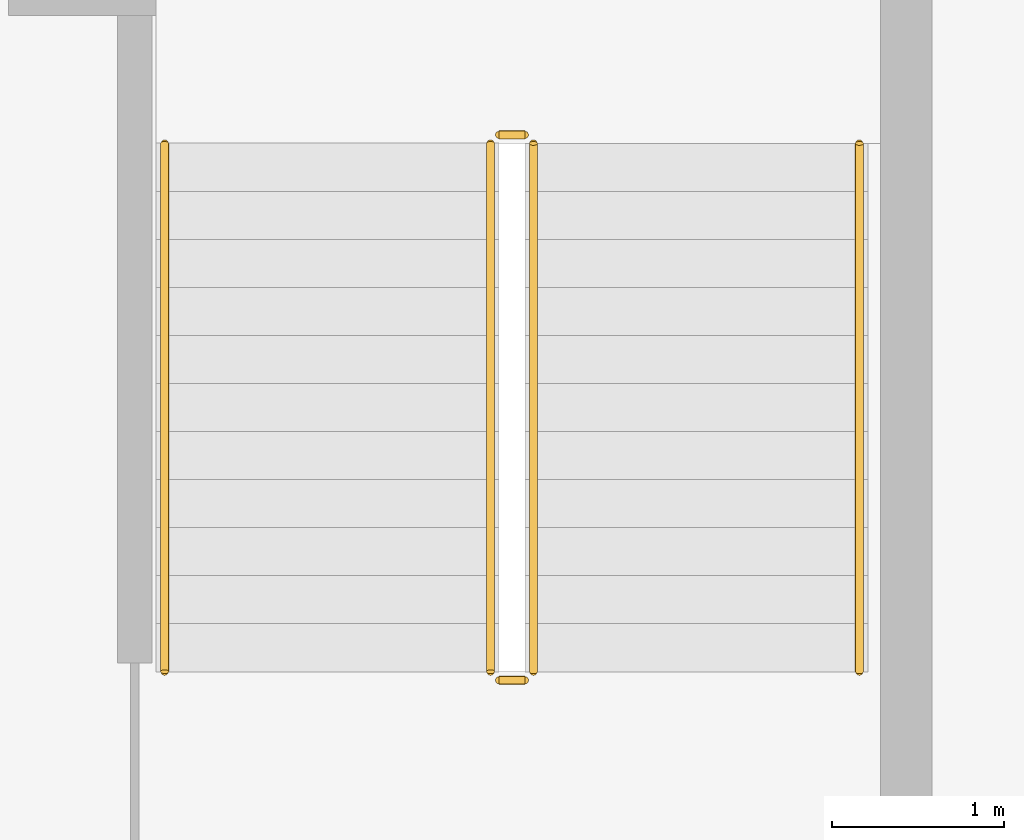
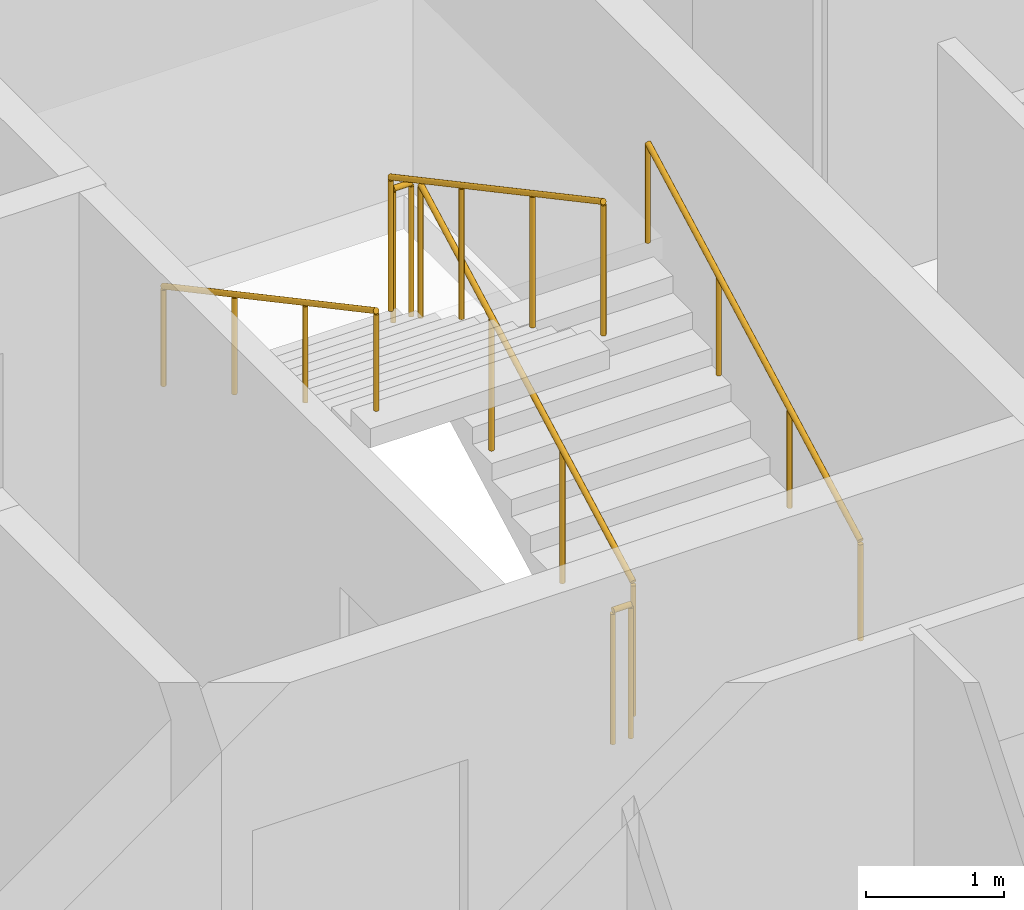
# One storey, part 14 of 14: 6 railings.
"""IFC4 building model written with IfcOpenShell, lengths in metres."""

from ifc_helpers import new_model, si_unit, direction, frame, origin, origin_2d, place, context, subcontext, project, spatial, circle, extrude, material, type_object, element, save


model = new_model("IFC4")

# Units and contexts
model_context = context("Model", 3, precision=1e-05, world=origin(), true_north=direction((0.0, 1.0)))
body_context = subcontext(model_context, "Body", "Model", "MODEL_VIEW")
ifc_project = project(units=[si_unit("LENGTHUNIT", "METRE"), si_unit("AREAUNIT", "SQUARE_METRE"), si_unit("VOLUMEUNIT", "CUBIC_METRE"), si_unit("PLANEANGLEUNIT", "RADIAN"), si_unit("MASSUNIT", "GRAM", prefix="KILO")], contexts=[model_context])

# Site, building, storey
site_placement = place(None, origin())
site = spatial("IfcSite", under=ifc_project, at=site_placement, CompositionType="ELEMENT")
building_placement = place(site_placement, origin())
building = spatial("IfcBuilding", under=site, at=building_placement, Name="Caravel Reach Hotel and Residences", CompositionType="ELEMENT")
storey_placement = place(building_placement, frame((0.0, 0.0, 67.199951171875)))
storey = spatial("IfcBuildingStorey", under=building, at=storey_placement, Name="L15", CompositionType="ELEMENT", Elevation=67.199951171875)

# Railings
ifc_material_1 = material(Name="Steel balustrade with glass infill", Category="steel")
railing_type_1 = type_object("IfcRailingType", Name="Guard 1200", PredefinedType="GUARDRAIL", material=ifc_material_1)
railing_1_placement = place(storey_placement, frame((42.824951171875, 24.64990234375, 0.150146484375)))
element("IfcRailing", 1, at=railing_1_placement, inside=storey, type_object=railing_type_1, Name="L15 ST-B stair guard 1", PredefinedType="GUARDRAIL", context=body_context, shape_type="SweptSolid", body=[
    extrude(circle(Radius=0.02392578125, at=origin_2d()), frame((0.0, 0.0, 1.17578125), z_axis=(0.0, 0.881496589024, 0.472190389079), x_axis=(-1.0, 0.0, 0.0)), (0.0, 0.0, 1.0), 3.494140625),
    extrude(circle(Radius=0.02099609375, at=origin_2d()), origin(), (0.0, 0.0, 1.0), 1.15185546875),
    extrude(circle(Radius=0.02099609375, at=origin_2d()), frame((0.0, 1.026611328125, 0.550048828125)), (0.0, 0.0, 1.0), 1.15185546875),
    extrude(circle(Radius=0.02099609375, at=origin_2d()), frame((0.0, 2.053466796875, 1.099853515625)), (0.0, 0.0, 1.0), 1.15185546875),
    extrude(circle(Radius=0.02099609375, at=origin_2d()), frame((0.0, 3.080078125, 1.64990234375)), (0.0, 0.0, 1.0), 1.15185546875),
])
railing_2_placement = place(storey_placement, frame((42.77490234375, 27.780029296875, 1.800048828125)))
element("IfcRailing", 2, at=railing_2_placement, inside=storey, type_object=railing_type_1, Name="L15 ST-B stair guard 2", PredefinedType="GUARDRAIL", context=body_context, shape_type="SweptSolid", body=[
    extrude(circle(Radius=0.02392578125, at=origin_2d()), frame((0.0, 0.0, 1.17578125), z_axis=(-1.0, 0.0, 0.0), x_axis=(0.0, -1.0, 0.0)), (0.0, 0.0, 1.0), 0.14990234375),
    extrude(circle(Radius=0.02099609375, at=origin_2d()), origin(), (0.0, 0.0, 1.0), 1.15185546875),
    extrude(circle(Radius=0.02099609375, at=origin_2d()), frame((-0.14990234375, 0.0, 0.0)), (0.0, 0.0, 1.0), 1.15185546875),
])
railing_3_placement = place(storey_placement, frame((42.574951171875, 27.72998046875, 1.949951171875)))
element("IfcRailing", 3, at=railing_3_placement, inside=storey, type_object=railing_type_1, Name="L15 ST-B stair guard 3", PredefinedType="GUARDRAIL", context=body_context, shape_type="SweptSolid", body=[
    extrude(circle(Radius=0.02392578125, at=origin_2d()), frame((0.0, 0.0, 1.17578125), z_axis=(0.0, -0.881467505477, 0.472244678941), x_axis=(1.0, 0.0, 0.0)), (0.0, 0.0, 1.0), 3.494140625),
    extrude(circle(Radius=0.02099609375, at=origin_2d()), origin(), (0.0, 0.0, 1.0), 1.15185546875),
    extrude(circle(Radius=0.02099609375, at=origin_2d()), frame((0.0, -1.026611328125, 0.550048828125)), (0.0, 0.0, 1.0), 1.15185546875),
    extrude(circle(Radius=0.02099609375, at=origin_2d()), frame((0.0, -2.053466796875, 1.10009765625)), (0.0, 0.0, 1.0), 1.15185546875),
    extrude(circle(Radius=0.02099609375, at=origin_2d()), frame((0.0, -3.080078125, 1.650146484375)), (0.0, 0.0, 1.0), 1.15185546875),
])
railing_4_placement = place(storey_placement, frame((42.77490234375, 24.60009765625, 0.0)))
element("IfcRailing", 4, at=railing_4_placement, inside=storey, type_object=railing_type_1, Name="L15 ST-B stair guard 4", PredefinedType="GUARDRAIL", context=body_context, shape_type="SweptSolid", body=[
    extrude(circle(Radius=0.02392578125, at=origin_2d()), frame((0.0, 0.0, 1.17578125), z_axis=(-1.0, 0.0, 0.0), x_axis=(0.0, -1.0, 0.0)), (0.0, 0.0, 1.0), 0.14990234375),
    extrude(circle(Radius=0.02099609375, at=origin_2d()), origin(), (0.0, 0.0, 1.0), 1.15185546875),
    extrude(circle(Radius=0.02099609375, at=origin_2d()), frame((-0.14990234375, 0.0, 0.0)), (0.0, 0.0, 1.0), 1.15185546875),
])
ifc_material_2 = material(Name="Stainless steel handrail", Category="steel")
railing_type_2 = type_object("IfcRailingType", Name="Handrail 900", PredefinedType="HANDRAIL", material=ifc_material_2)
railing_5_placement = place(storey_placement, frame((44.72509765625, 24.64990234375, 0.150146484375)))
element("IfcRailing", 5, at=railing_5_placement, inside=storey, type_object=railing_type_2, Name="L15 ST-B stair handrail 1", PredefinedType="HANDRAIL", context=body_context, shape_type="SweptSolid", body=[
    extrude(circle(Radius=0.02392578125, at=origin_2d()), frame((0.0, 0.0, 0.8759765625), z_axis=(0.0, 0.881496589024, 0.472190389079), x_axis=(-1.0, 0.0, 0.0)), (0.0, 0.0, 1.0), 3.494140625),
    extrude(circle(Radius=0.02099609375, at=origin_2d()), origin(), (0.0, 0.0, 1.0), 0.851806640625),
    extrude(circle(Radius=0.02099609375, at=origin_2d()), frame((0.0, 1.026611328125, 0.550048828125)), (0.0, 0.0, 1.0), 0.851806640625),
    extrude(circle(Radius=0.02099609375, at=origin_2d()), frame((0.0, 2.053466796875, 1.099853515625)), (0.0, 0.0, 1.0), 0.851806640625),
    extrude(circle(Radius=0.02099609375, at=origin_2d()), frame((0.0, 3.080078125, 1.64990234375)), (0.0, 0.0, 1.0), 0.851806640625),
])
railing_6_placement = place(storey_placement, frame((40.675048828125, 27.72998046875, 1.949951171875)))
element("IfcRailing", 6, at=railing_6_placement, inside=storey, type_object=railing_type_2, Name="L15 ST-B stair handrail 2", PredefinedType="HANDRAIL", context=body_context, shape_type="SweptSolid", body=[
    extrude(circle(Radius=0.02392578125, at=origin_2d()), frame((0.0, 0.0, 0.8759765625), z_axis=(0.0, -0.881467505477, 0.472244678941), x_axis=(1.0, 0.0, 0.0)), (0.0, 0.0, 1.0), 3.494140625),
    extrude(circle(Radius=0.02099609375, at=origin_2d()), origin(), (0.0, 0.0, 1.0), 0.851806640625),
    extrude(circle(Radius=0.02099609375, at=origin_2d()), frame((0.0, -1.026611328125, 0.550048828125)), (0.0, 0.0, 1.0), 0.851806640625),
    extrude(circle(Radius=0.02099609375, at=origin_2d()), frame((0.0, -2.053466796875, 1.10009765625)), (0.0, 0.0, 1.0), 0.851806640625),
    extrude(circle(Radius=0.02099609375, at=origin_2d()), frame((0.0, -3.080078125, 1.650146484375)), (0.0, 0.0, 1.0), 0.851806640625),
])

save(model, "model.ifc")
